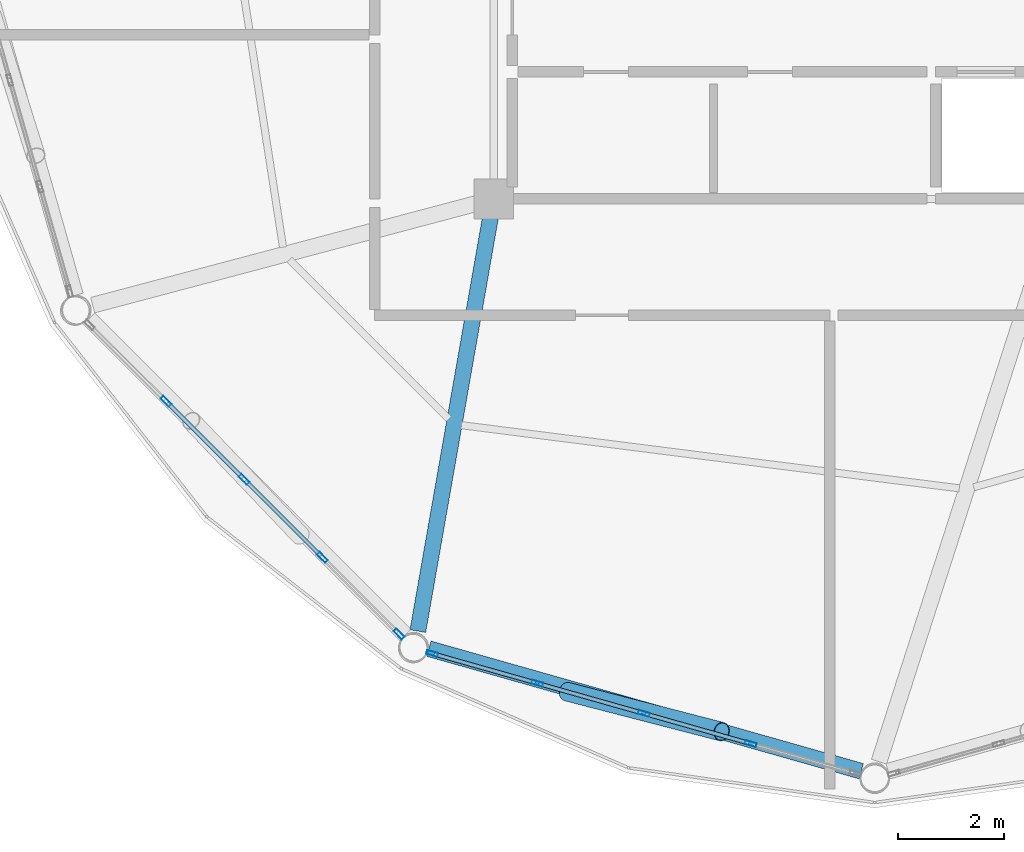
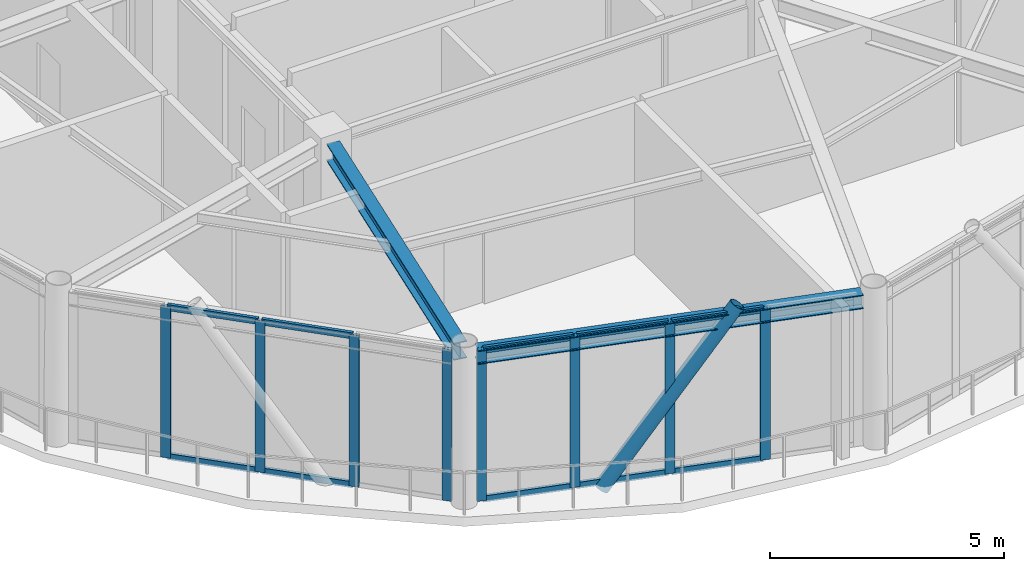
# One storey, part 2 of 21: 19 members, 2 beams, 2 elements without a shape of their own.
"""IFC4 building model written with IfcOpenShell, lengths in metres."""

from ifc_helpers import new_model, si_unit, direction, frame, origin, origin_2d, place, context, subcontext, project, spatial, hollow_rectangle, hollow_circle, i_section, extrude, material, layer, layer_set, material_profile, profile_set, type_object, element, aggregate, save


model = new_model("IFC4")

# Units and contexts
model_context = context("Model", 3, precision=1e-05, world=origin(), true_north=direction((0.0, 1.0)))
body_context = subcontext(model_context, "Body", "Model", "MODEL_VIEW")
ifc_project = project(units=[si_unit("LENGTHUNIT", "METRE"), si_unit("AREAUNIT", "SQUARE_METRE"), si_unit("VOLUMEUNIT", "CUBIC_METRE"), si_unit("PLANEANGLEUNIT", "RADIAN"), si_unit("MASSUNIT", "GRAM", prefix="KILO")], contexts=[model_context])

# Site, building, storey
site_placement = place(None, origin())
site = spatial("IfcSite", under=ifc_project, at=site_placement, CompositionType="ELEMENT")
building_placement = place(site_placement, origin())
building = spatial("IfcBuilding", under=site, at=building_placement, Name="Varnakorn Sky Granary", CompositionType="ELEMENT")
storey_placement = place(building_placement, frame((0.0, 0.0, 298.199951171875)))
storey = spatial("IfcBuildingStorey", under=building, at=storey_placement, Name="L76", CompositionType="ELEMENT", Elevation=298.199951171875)

# Beams
ifc_material_1 = material(Name="Steel S355JR", Category="steel")
ifc_material_profile_1 = material_profile(ifc_material_1, i_section(OverallWidth=0.300048828125, OverallDepth=0.449951171875, WebThickness=0.013916015625, FlangeThickness=0.02587890625, at=origin_2d()), Name="HE 450 B")
ifc_profile_set_1 = profile_set([ifc_material_profile_1], Name="Steel S355JR")
beam_type_1 = type_object("IfcBeamType", Name="BM-RAD-Z5", PredefinedType="BEAM", material=ifc_profile_set_1)
beam_1_placement = place(storey_placement, frame((-2.411376953125, -6.94970703125, 3.735107421875), z_axis=(-0.172869119336, -0.984944804332, 0.0), x_axis=(0.984944804332, -0.172869119336, 0.0)))
element("IfcBeam", 1, at=beam_1_placement, inside=storey, type_object=beam_type_1, Name="Radial Floor Girder RG09 L76", PredefinedType="BEAM", context=body_context, shape_type="SweptSolid", body=[
    extrude(i_section(OverallWidth=0.300048828125, OverallDepth=0.449951171875, WebThickness=0.013916015625, FlangeThickness=0.02587890625, at=origin_2d()), origin(), (0.0, 0.0, 1.0), 7.935546875),
])
ifc_material_profile_2 = material_profile(ifc_material_1, i_section(OverallWidth=0.300048828125, OverallDepth=0.360107421875, WebThickness=0.012451171875, FlangeThickness=0.0224609375, at=origin_2d()), Name="HE 360 B")
ifc_profile_set_2 = profile_set([ifc_material_profile_2], Name="Steel S355JR")
beam_type_2 = type_object("IfcBeamType", Name="BM-SPD-Z5", PredefinedType="SPANDREL", material=ifc_profile_set_2)
beam_2_placement = place(storey_placement, frame((-3.574462890625, -15.098388671875, 3.780029296875), z_axis=(0.962107621006, -0.272669993952, 0.0), x_axis=(0.272669993952, 0.962107621006, 0.0)))
element("IfcBeam", 2, at=beam_2_placement, inside=storey, type_object=beam_type_2, Name="Perimeter Spandrel Ring Beam RB09 L76", PredefinedType="SPANDREL", context=body_context, shape_type="SweptSolid", body=[
    extrude(i_section(OverallWidth=0.300048828125, OverallDepth=0.360107421875, WebThickness=0.012451171875, FlangeThickness=0.0224609375, at=origin_2d()), origin(), (0.0, 0.0, 1.0), 8.49169921875),
])

# Curtain wall, members
ifc_material_2 = material(Name="Anodised Bronze Aluminium Alloy 6063-T6", Category="aluminium")
ifc_layer = layer(ifc_material_2, 0.22998046875, Name="Anodised Bronze Aluminium Alloy 6063-T6")
ifc_layer_set = layer_set([ifc_layer], Name="Anodised Bronze Aluminium Alloy 6063-T6")
curtain_wall_type = type_object("IfcCurtainWallType", Name="CW-LNT-1", PredefinedType="USERDEFINED", material=ifc_layer_set)
curtain_wall_1_placement = place(storey_placement, origin())
curtain_wall_1 = element("IfcCurtainWall", 3, at=curtain_wall_1_placement, inside=storey, type_object=curtain_wall_type, Name="Unitised Curtain Wall CW7 CW-L76-B08", ObjectType="CURTAIN WALL", PredefinedType="USERDEFINED")
ifc_material_profile_3 = material_profile(ifc_material_2, hollow_rectangle(XDim=0.074951171875, YDim=0.219970703125, WallThickness=0.00390625, at=origin_2d()), Name="ALU MULL 75x220")
ifc_profile_set_3 = profile_set([ifc_material_profile_3], Name="Anodised Bronze Aluminium Alloy 6063-T6")
member_type_1 = type_object("IfcMemberType", Name="CW-LNT-1-MULL", PredefinedType="MULLION", material=ifc_profile_set_3)
member_1_placement = place(storey_placement, frame((-4.138671875, -14.821533203125, 0.0), z_axis=(0.0, 0.0, 1.0), x_axis=(-0.706663262546, -0.707550021813, 0.0)))
member_1 = element("IfcMember", 4, at=member_1_placement, type_object=member_type_1, Name="CW7 mullion 1", PredefinedType="MULLION", context=body_context, shape_type="SweptSolid", body=[
    extrude(hollow_rectangle(XDim=0.074951171875, YDim=0.219970703125, WallThickness=0.00390625, at=origin_2d()), origin(), (0.0, 0.0, 1.0), 3.9599609375),
])
member_2_placement = place(storey_placement, frame((-5.58837890625, -13.373779296875, 0.0), z_axis=(0.0, 0.0, 1.0), x_axis=(-0.706663262546, -0.707550021813, 0.0)))
member_2 = element("IfcMember", 5, at=member_2_placement, type_object=member_type_1, Name="CW7 mullion 2", PredefinedType="MULLION", context=body_context, shape_type="SweptSolid", body=[
    extrude(hollow_rectangle(XDim=0.074951171875, YDim=0.219970703125, WallThickness=0.00390625, at=origin_2d()), origin(), (0.0, 0.0, 1.0), 3.9599609375),
])
member_3_placement = place(storey_placement, frame((-7.064453125, -11.8994140625, 0.0), z_axis=(0.0, 0.0, 1.0), x_axis=(-0.706663262546, -0.707550021813, 0.0)))
member_3 = element("IfcMember", 6, at=member_3_placement, type_object=member_type_1, Name="CW7 mullion 3", PredefinedType="MULLION", context=body_context, shape_type="SweptSolid", body=[
    extrude(hollow_rectangle(XDim=0.074951171875, YDim=0.219970703125, WallThickness=0.00390625, at=origin_2d()), origin(), (0.0, 0.0, 1.0), 3.9599609375),
])
member_4_placement = place(storey_placement, frame((-8.54052734375, -10.42529296875, 0.0), z_axis=(0.0, 0.0, 1.0), x_axis=(-0.706663262546, -0.707550021813, 0.0)))
member_4 = element("IfcMember", 7, at=member_4_placement, type_object=member_type_1, Name="CW7 mullion 4", PredefinedType="MULLION", context=body_context, shape_type="SweptSolid", body=[
    extrude(hollow_rectangle(XDim=0.074951171875, YDim=0.219970703125, WallThickness=0.00390625, at=origin_2d()), origin(), (0.0, 0.0, 1.0), 3.9599609375),
])

curtain_wall_2_placement = place(storey_placement, origin())
curtain_wall_2 = element("IfcCurtainWall", 8, at=curtain_wall_2_placement, inside=storey, type_object=curtain_wall_type, Name="Unitised Curtain Wall CW7 CW-L76-B09", ObjectType="CURTAIN WALL", PredefinedType="USERDEFINED")
member_5_placement = place(storey_placement, frame((2.506103515625, -16.8935546875, 0.0), z_axis=(0.0, 0.0, 1.0), x_axis=(-0.272381418723, -0.962189359084, 0.0)))
member_5 = element("IfcMember", 9, at=member_5_placement, type_object=member_type_1, Name="CW7 mullion 2", PredefinedType="MULLION", context=body_context, shape_type="SweptSolid", body=[
    extrude(hollow_rectangle(XDim=0.074951171875, YDim=0.219970703125, WallThickness=0.00390625, at=origin_2d()), origin(), (0.0, 0.0, 1.0), 3.9599609375),
])
member_6_placement = place(storey_placement, frame((0.489013671875, -16.322509765625, 0.0), z_axis=(0.0, 0.0, 1.0), x_axis=(-0.272381418723, -0.962189359084, 0.0)))
member_6 = element("IfcMember", 10, at=member_6_placement, type_object=member_type_1, Name="CW7 mullion 3", PredefinedType="MULLION", context=body_context, shape_type="SweptSolid", body=[
    extrude(hollow_rectangle(XDim=0.074951171875, YDim=0.219970703125, WallThickness=0.00390625, at=origin_2d()), origin(), (0.0, 0.0, 1.0), 3.9599609375),
])
member_7_placement = place(storey_placement, frame((-1.528076171875, -15.75146484375, 0.0), z_axis=(0.0, 0.0, 1.0), x_axis=(-0.272381418723, -0.962189359084, 0.0)))
member_7 = element("IfcMember", 11, at=member_7_placement, type_object=member_type_1, Name="CW7 mullion 4", PredefinedType="MULLION", context=body_context, shape_type="SweptSolid", body=[
    extrude(hollow_rectangle(XDim=0.074951171875, YDim=0.219970703125, WallThickness=0.00390625, at=origin_2d()), origin(), (0.0, 0.0, 1.0), 3.9599609375),
])
member_8_placement = place(storey_placement, frame((-3.50927734375, -15.190673828125, 0.0), z_axis=(0.0, 0.0, 1.0), x_axis=(-0.272381418723, -0.962189359084, 0.0)))
member_8 = element("IfcMember", 12, at=member_8_placement, type_object=member_type_1, Name="CW7 mullion 5", PredefinedType="MULLION", context=body_context, shape_type="SweptSolid", body=[
    extrude(hollow_rectangle(XDim=0.074951171875, YDim=0.219970703125, WallThickness=0.00390625, at=origin_2d()), origin(), (0.0, 0.0, 1.0), 3.9599609375),
])

# Member
ifc_material_profile_4 = material_profile(ifc_material_2, hollow_rectangle(XDim=0.074951171875, YDim=0.159912109375, WallThickness=0.00390625, at=origin_2d()), Name="ALU TRAN 75x160")
ifc_profile_set_4 = profile_set([ifc_material_profile_4], Name="Anodised Bronze Aluminium Alloy 6063-T6")
member_type_2 = type_object("IfcMemberType", Name="CW-LNT-1-TRAN", PredefinedType="USERDEFINED", material=ifc_profile_set_4)
member_9_placement = place(storey_placement, frame((-5.61474609375, -13.34716796875, 0.03759765625), z_axis=(-0.707592181242, 0.706621047694, 0.0), x_axis=(-0.706621047694, -0.707592181242, 0.0)))
member_9 = element("IfcMember", 13, at=member_9_placement, type_object=member_type_2, Name="CW7 transom 2.1", ObjectType="TRANSOM", PredefinedType="USERDEFINED", context=body_context, shape_type="SweptSolid", body=[
    extrude(hollow_rectangle(XDim=0.074951171875, YDim=0.159912109375, WallThickness=0.00390625, at=origin_2d()), origin(), (0.0, 0.0, 1.0), 2.01123046875),
])

member_10_placement = place(storey_placement, frame((-5.61474609375, -13.34716796875, 3.922607421875), z_axis=(-0.707592181242, 0.706621047694, 0.0), x_axis=(-0.706621047694, -0.707592181242, 0.0)))
member_10 = element("IfcMember", 14, at=member_10_placement, type_object=member_type_2, Name="CW7 transom 2.2", ObjectType="TRANSOM", PredefinedType="USERDEFINED", context=body_context, shape_type="SweptSolid", body=[
    extrude(hollow_rectangle(XDim=0.074951171875, YDim=0.159912109375, WallThickness=0.00390625, at=origin_2d()), origin(), (0.0, 0.0, 1.0), 2.01123046875),
])

member_11_placement = place(storey_placement, frame((-7.091064453125, -11.873046875, 0.03759765625), z_axis=(-0.707531488049, 0.706681819081, 0.0), x_axis=(-0.706681819081, -0.707531488049, 0.0)))
member_11 = element("IfcMember", 15, at=member_11_placement, type_object=member_type_2, Name="CW7 transom 3.1", ObjectType="TRANSOM", PredefinedType="USERDEFINED", context=body_context, shape_type="SweptSolid", body=[
    extrude(hollow_rectangle(XDim=0.074951171875, YDim=0.159912109375, WallThickness=0.00390625, at=origin_2d()), origin(), (0.0, 0.0, 1.0), 2.011474609375),
])

member_12_placement = place(storey_placement, frame((-7.091064453125, -11.873046875, 3.922607421875), z_axis=(-0.707531488049, 0.706681819081, 0.0), x_axis=(-0.706681819081, -0.707531488049, 0.0)))
member_12 = element("IfcMember", 16, at=member_12_placement, type_object=member_type_2, Name="CW7 transom 3.2", ObjectType="TRANSOM", PredefinedType="USERDEFINED", context=body_context, shape_type="SweptSolid", body=[
    extrude(hollow_rectangle(XDim=0.074951171875, YDim=0.159912109375, WallThickness=0.00390625, at=origin_2d()), origin(), (0.0, 0.0, 1.0), 2.011474609375),
])

aggregate(curtain_wall_1, [member_1, member_2, member_3, member_4, member_9, member_10, member_11, member_12])

member_13_placement = place(storey_placement, frame((2.469970703125, -16.88330078125, 0.03759765625), z_axis=(-0.962191115172, 0.272375215254, 0.0), x_axis=(-0.272375215254, -0.962191115172, 0.0)))
member_13 = element("IfcMember", 17, at=member_13_placement, type_object=member_type_2, Name="CW7 transom 2.1", ObjectType="TRANSOM", PredefinedType="USERDEFINED", context=body_context, shape_type="SweptSolid", body=[
    extrude(hollow_rectangle(XDim=0.074951171875, YDim=0.159912109375, WallThickness=0.00390625, at=origin_2d()), origin(), (0.0, 0.0, 1.0), 2.021240234375),
])

member_14_placement = place(storey_placement, frame((2.469970703125, -16.88330078125, 3.922607421875), z_axis=(-0.962191115172, 0.272375215254, 0.0), x_axis=(-0.272375215254, -0.962191115172, 0.0)))
member_14 = element("IfcMember", 18, at=member_14_placement, type_object=member_type_2, Name="CW7 transom 2.2", ObjectType="TRANSOM", PredefinedType="USERDEFINED", context=body_context, shape_type="SweptSolid", body=[
    extrude(hollow_rectangle(XDim=0.074951171875, YDim=0.159912109375, WallThickness=0.00390625, at=origin_2d()), origin(), (0.0, 0.0, 1.0), 2.021240234375),
])

member_15_placement = place(storey_placement, frame((0.452880859375, -16.312255859375, 0.03759765625), z_axis=(-0.962200074604, 0.272343563227, 0.0), x_axis=(-0.272343563227, -0.962200074604, 0.0)))
member_15 = element("IfcMember", 19, at=member_15_placement, type_object=member_type_2, Name="CW7 transom 3.1", ObjectType="TRANSOM", PredefinedType="USERDEFINED", context=body_context, shape_type="SweptSolid", body=[
    extrude(hollow_rectangle(XDim=0.074951171875, YDim=0.159912109375, WallThickness=0.00390625, at=origin_2d()), origin(), (0.0, 0.0, 1.0), 2.021484375),
])

member_16_placement = place(storey_placement, frame((0.452880859375, -16.312255859375, 3.922607421875), z_axis=(-0.962200074604, 0.272343563227, 0.0), x_axis=(-0.272343563227, -0.962200074604, 0.0)))
member_16 = element("IfcMember", 20, at=member_16_placement, type_object=member_type_2, Name="CW7 transom 3.2", ObjectType="TRANSOM", PredefinedType="USERDEFINED", context=body_context, shape_type="SweptSolid", body=[
    extrude(hollow_rectangle(XDim=0.074951171875, YDim=0.159912109375, WallThickness=0.00390625, at=origin_2d()), origin(), (0.0, 0.0, 1.0), 2.021484375),
])

member_17_placement = place(storey_placement, frame((-1.564208984375, -15.7412109375, 0.03759765625), z_axis=(-0.962203612173, 0.272331064553, 0.0), x_axis=(-0.272331064553, -0.962203612173, 0.0)))
member_17 = element("IfcMember", 21, at=member_17_placement, type_object=member_type_2, Name="CW7 transom 4.1", ObjectType="TRANSOM", PredefinedType="USERDEFINED", context=body_context, shape_type="SweptSolid", body=[
    extrude(hollow_rectangle(XDim=0.074951171875, YDim=0.159912109375, WallThickness=0.00390625, at=origin_2d()), origin(), (0.0, 0.0, 1.0), 1.98388671875),
])

member_18_placement = place(storey_placement, frame((-1.564208984375, -15.7412109375, 3.922607421875), z_axis=(-0.962203612173, 0.272331064553, 0.0), x_axis=(-0.272331064553, -0.962203612173, 0.0)))
member_18 = element("IfcMember", 22, at=member_18_placement, type_object=member_type_2, Name="CW7 transom 4.2", ObjectType="TRANSOM", PredefinedType="USERDEFINED", context=body_context, shape_type="SweptSolid", body=[
    extrude(hollow_rectangle(XDim=0.074951171875, YDim=0.159912109375, WallThickness=0.00390625, at=origin_2d()), origin(), (0.0, 0.0, 1.0), 1.98388671875),
])

aggregate(curtain_wall_2, [member_5, member_6, member_7, member_8, member_13, member_14, member_15, member_16, member_17, member_18])

ifc_material_3 = material(Name="Steel S460M", Category="steel")
ifc_material_profile_5 = material_profile(ifc_material_3, hollow_circle(Radius=0.177734375, WallThickness=0.01416015625, at=origin_2d()), Name="CHS 355.6x14")
ifc_profile_set_5 = profile_set([ifc_material_profile_5], Name="Steel S460M")
member_type_3 = type_object("IfcMemberType", Name="MB-DIAG-T5", PredefinedType="BRACE", material=ifc_profile_set_5)
member_19_placement = place(storey_placement, frame((-0.964599609375, -15.910888671875, -0.1298828125), z_axis=(0.563162629684, -0.145555445275, 0.813425758677), x_axis=(0.250237691453, 0.968184433761, 0.0)))
element("IfcMember", 23, at=member_19_placement, inside=storey, type_object=member_type_3, Name="Perimeter CHS Diagrid Brace DG09 L76", PredefinedType="BRACE", context=body_context, shape_type="SweptSolid", body=[
    extrude(hollow_circle(Radius=0.177734375, WallThickness=0.01416015625, at=origin_2d()), origin(), (0.0, 0.0, 1.0), 5.18798828125),
])

save(model, "model.ifc")
